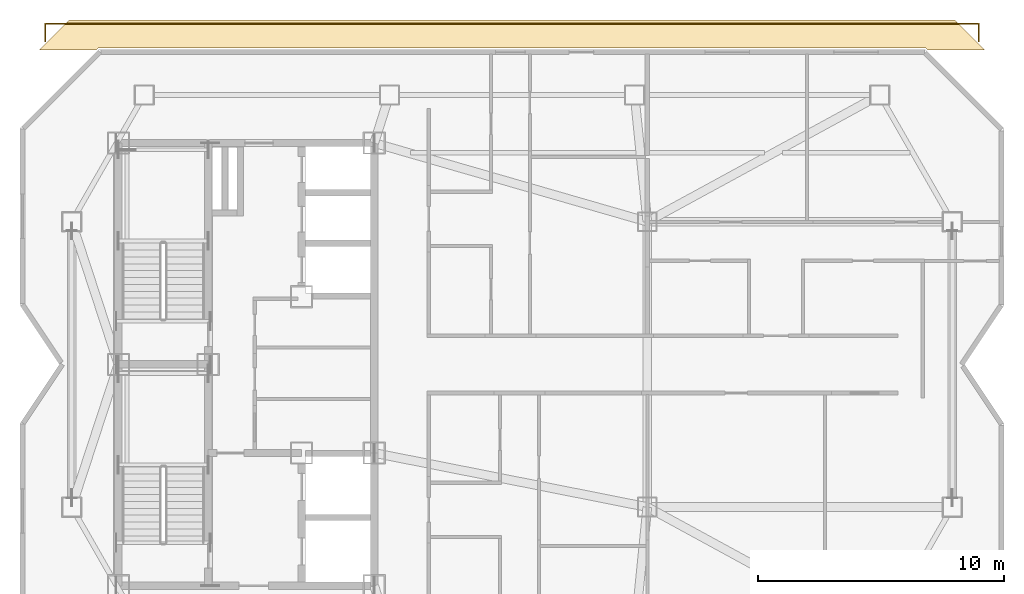
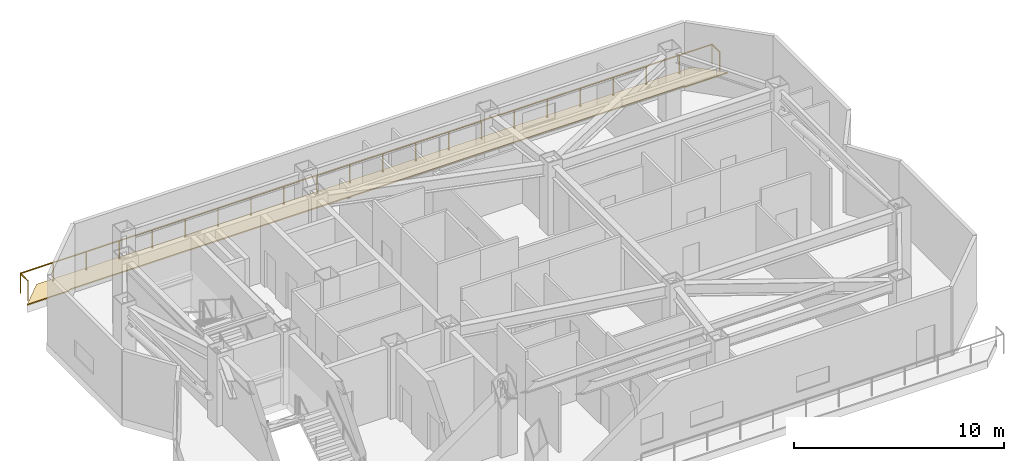
# One storey, part 12 of 12: 1 covering, 1 railing.
"""IFC4 building model written with IfcOpenShell, lengths in metres."""

from ifc_helpers import new_model, si_unit, direction, frame, origin, origin_2d, place, context, subcontext, project, spatial, polyline, circle, outline, extrude, material, layer, layer_set, type_object, element, save


model = new_model("IFC4")

# Units and contexts
model_context = context("Model", 3, precision=1e-05, world=origin(), true_north=direction((0.0, 1.0)))
body_context = subcontext(model_context, "Body", "Model", "MODEL_VIEW")
ifc_project = project(units=[si_unit("LENGTHUNIT", "METRE"), si_unit("AREAUNIT", "SQUARE_METRE"), si_unit("VOLUMEUNIT", "CUBIC_METRE"), si_unit("PLANEANGLEUNIT", "RADIAN"), si_unit("MASSUNIT", "GRAM", prefix="KILO")], contexts=[model_context])

# Site, building, storey
site_placement = place(None, origin())
site = spatial("IfcSite", under=ifc_project, at=site_placement, CompositionType="ELEMENT")
building_placement = place(site_placement, origin())
building = spatial("IfcBuilding", under=site, at=building_placement, Name="Khamvora Tower", CompositionType="ELEMENT")
storey_placement = place(building_placement, frame((0.0, 0.0, 286.25)))
storey = spatial("IfcBuildingStorey", under=building, at=storey_placement, Name="L73", CompositionType="ELEMENT", Elevation=286.25)

# Covering
ifc_material_1 = material(Name="Insulated Elastomeric Roof Waterproofing System", Category="membrane")
ifc_layer = layer(ifc_material_1, 0.0849609375)
ifc_layer_set = layer_set([ifc_layer], Name="Insulated Elastomeric Roof Waterproofing System")
covering_type = type_object("IfcCoveringType", Name="COV-ROOF-MEM", PredefinedType="ROOFING", material=ifc_layer_set)
covering_placement = place(storey_placement, origin())
element("IfcCovering", 1, at=covering_placement, inside=storey, type_object=covering_type, Name="L73 terrace waterproofing paving 2", PredefinedType="ROOFING", context=body_context, shape_type="SweptSolid", body=[
    extrude(outline(polyline([(27.0, 42.0), (63.0, 42.0), (64.219970703125, 40.780029296875), (61.905029296875, 40.780029296875), (61.842041015625, 40.842041015625), (61.837890625, 40.845947265625), (61.8330078125, 40.85009765625), (61.827880859375, 40.85302734375), (61.822998046875, 40.85498046875), (61.81689453125, 40.85693359375), (61.81201171875, 40.85888671875), (61.805908203125, 40.860107421875), (61.800048828125, 40.860107421875), (28.199951171875, 40.860107421875), (28.194091796875, 40.860107421875), (28.18798828125, 40.85888671875), (28.18310546875, 40.85693359375), (28.177001953125, 40.85498046875), (28.172119140625, 40.85302734375), (28.1669921875, 40.85009765625), (28.162109375, 40.845947265625), (28.157958984375, 40.842041015625), (28.094970703125, 40.780029296875), (25.780029296875, 40.780029296875), (27.0, 42.0)])), origin(), (0.0, 0.0, 1.0), 0.06494140625),
])

# Railing
ifc_material_2 = material(Name="Laminated Structural Safety Glass and Stainless Steel", Category="steel")
railing_type = type_object("IfcRailingType", Name="RAL-POOL-1150", PredefinedType="BALUSTRADE", material=ifc_material_2)
railing_placement = place(storey_placement, frame((26.030029296875, 41.1298828125, 0.0)))
element("IfcRailing", 2, at=railing_placement, inside=storey, type_object=railing_type, Name="L73 stepped roof terrace balustrade 2", PredefinedType="BALUSTRADE", context=body_context, shape_type="SweptSolid", body=[
    extrude(circle(Radius=0.02392578125, at=origin_2d()), frame((0.0, 0.0, 1.1259765625), z_axis=(0.0, 1.0, 0.0), x_axis=(-1.0, 0.0, 0.0)), (0.0, 0.0, 1.0), 0.72021484375),
    extrude(circle(Radius=0.02392578125, at=origin_2d()), frame((0.0, 0.72021484375, 1.1259765625), z_axis=(1.0, 0.0, 0.0), x_axis=(0.0, 1.0, 0.0)), (0.0, 0.0, 1.0), 37.93994140625),
    extrude(circle(Radius=0.02392578125, at=origin_2d()), frame((37.93994140625, 0.72021484375, 1.1259765625), z_axis=(0.0, -1.0, 0.0), x_axis=(1.0, 0.0, 0.0)), (0.0, 0.0, 1.0), 0.72021484375),
    extrude(circle(Radius=0.02099609375, at=origin_2d()), origin(), (0.0, 0.0, 1.0), 1.101806640625),
    extrude(circle(Radius=0.02099609375, at=origin_2d()), frame((0.0, 0.72021484375, 0.0)), (0.0, 0.0, 1.0), 1.101806640625),
    extrude(circle(Radius=0.02099609375, at=origin_2d()), frame((1.806640625, 0.72021484375, 0.0)), (0.0, 0.0, 1.0), 1.101806640625),
    extrude(circle(Radius=0.02099609375, at=origin_2d()), frame((3.61328125, 0.72021484375, 0.0)), (0.0, 0.0, 1.0), 1.101806640625),
    extrude(circle(Radius=0.02099609375, at=origin_2d()), frame((5.419921875, 0.72021484375, 0.0)), (0.0, 0.0, 1.0), 1.101806640625),
    extrude(circle(Radius=0.02099609375, at=origin_2d()), frame((7.2265625, 0.72021484375, 0.0)), (0.0, 0.0, 1.0), 1.101806640625),
    extrude(circle(Radius=0.02099609375, at=origin_2d()), frame((9.033203125, 0.72021484375, 0.0)), (0.0, 0.0, 1.0), 1.101806640625),
    extrude(circle(Radius=0.02099609375, at=origin_2d()), frame((10.840087890625, 0.72021484375, 0.0)), (0.0, 0.0, 1.0), 1.101806640625),
    extrude(circle(Radius=0.02099609375, at=origin_2d()), frame((12.646728515625, 0.72021484375, 0.0)), (0.0, 0.0, 1.0), 1.101806640625),
    extrude(circle(Radius=0.02099609375, at=origin_2d()), frame((14.453369140625, 0.72021484375, 0.0)), (0.0, 0.0, 1.0), 1.101806640625),
    extrude(circle(Radius=0.02099609375, at=origin_2d()), frame((16.260009765625, 0.72021484375, 0.0)), (0.0, 0.0, 1.0), 1.101806640625),
    extrude(circle(Radius=0.02099609375, at=origin_2d()), frame((18.066650390625, 0.72021484375, 0.0)), (0.0, 0.0, 1.0), 1.101806640625),
    extrude(circle(Radius=0.02099609375, at=origin_2d()), frame((19.873291015625, 0.72021484375, 0.0)), (0.0, 0.0, 1.0), 1.101806640625),
    extrude(circle(Radius=0.02099609375, at=origin_2d()), frame((21.679931640625, 0.72021484375, 0.0)), (0.0, 0.0, 1.0), 1.101806640625),
    extrude(circle(Radius=0.02099609375, at=origin_2d()), frame((23.486572265625, 0.72021484375, 0.0)), (0.0, 0.0, 1.0), 1.101806640625),
    extrude(circle(Radius=0.02099609375, at=origin_2d()), frame((25.293212890625, 0.72021484375, 0.0)), (0.0, 0.0, 1.0), 1.101806640625),
    extrude(circle(Radius=0.02099609375, at=origin_2d()), frame((27.099853515625, 0.72021484375, 0.0)), (0.0, 0.0, 1.0), 1.101806640625),
    extrude(circle(Radius=0.02099609375, at=origin_2d()), frame((28.90673828125, 0.72021484375, 0.0)), (0.0, 0.0, 1.0), 1.101806640625),
    extrude(circle(Radius=0.02099609375, at=origin_2d()), frame((30.71337890625, 0.72021484375, 0.0)), (0.0, 0.0, 1.0), 1.101806640625),
    extrude(circle(Radius=0.02099609375, at=origin_2d()), frame((32.52001953125, 0.72021484375, 0.0)), (0.0, 0.0, 1.0), 1.101806640625),
    extrude(circle(Radius=0.02099609375, at=origin_2d()), frame((34.32666015625, 0.72021484375, 0.0)), (0.0, 0.0, 1.0), 1.101806640625),
    extrude(circle(Radius=0.02099609375, at=origin_2d()), frame((36.13330078125, 0.72021484375, 0.0)), (0.0, 0.0, 1.0), 1.101806640625),
    extrude(circle(Radius=0.02099609375, at=origin_2d()), frame((37.93994140625, 0.72021484375, 0.0)), (0.0, 0.0, 1.0), 1.101806640625),
    extrude(circle(Radius=0.02099609375, at=origin_2d()), frame((37.93994140625, 0.0, 0.0)), (0.0, 0.0, 1.0), 1.101806640625),
])

save(model, "model.ifc")
